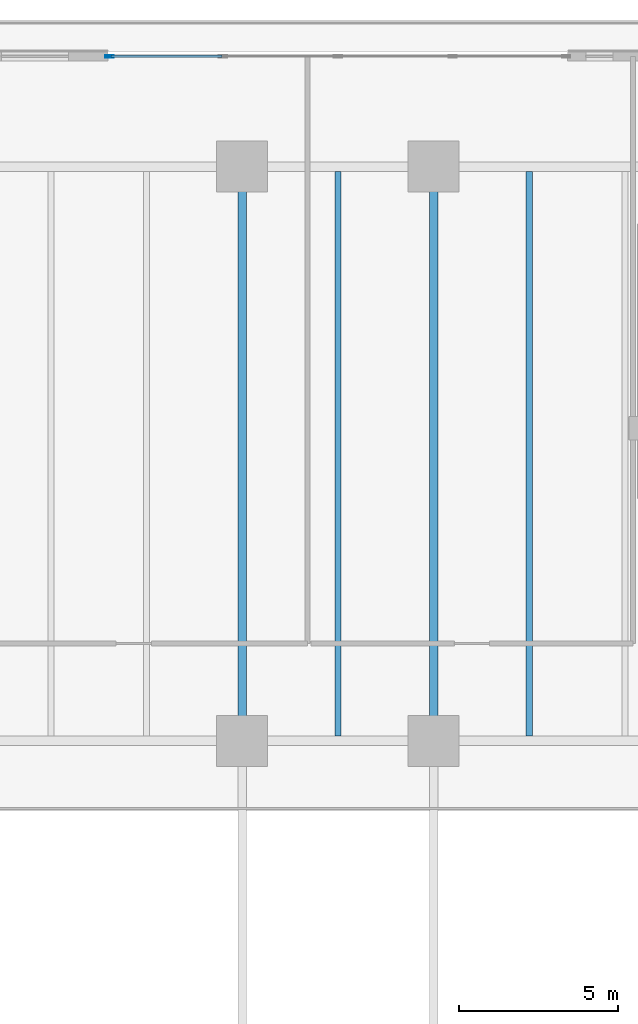
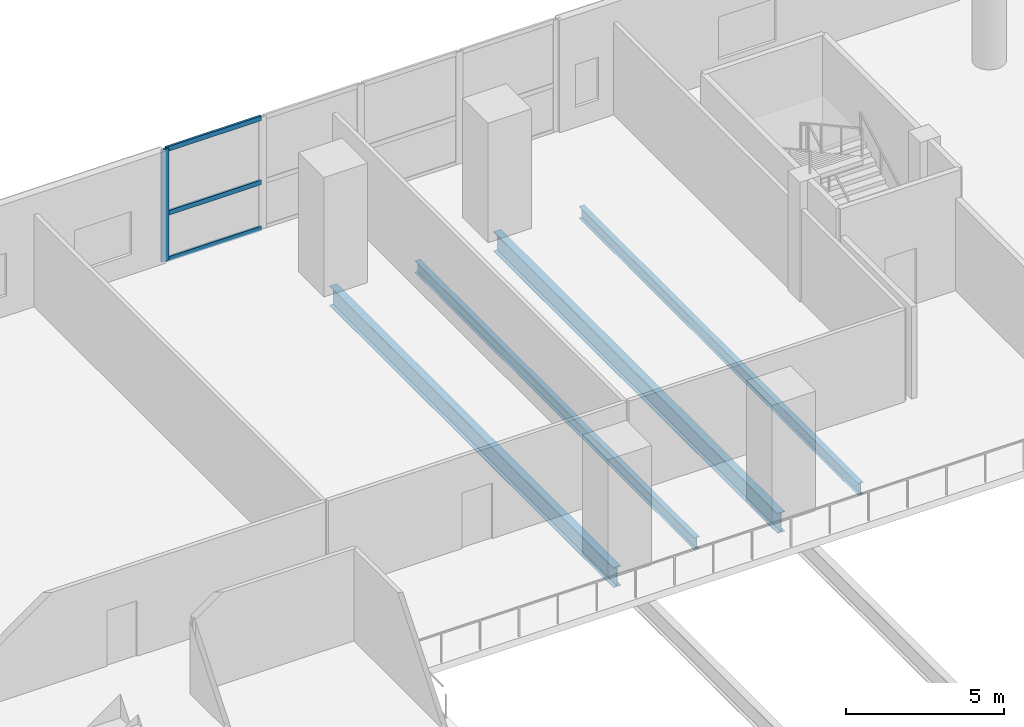
# One storey, part 6 of 27: 4 beams, 4 members, 1 element without a shape of its own.
"""IFC4 building model written with IfcOpenShell, lengths in metres."""

import ifcopenshell
import ifcopenshell.guid

model = None  # the IFC model being written
_history = None  # IfcOwnerHistory: only IFC2X3 demands one
_inside = {}  # id of a spatial element -> (the spatial element, [elements in it])
_under = {}  # id of a project, library or spatial element -> (it, [spatial elements below it])
_declared = {}  # id of a project -> (the project, [libraries it declares])
_typed = {}  # id of a type object -> (the type object, [elements of that type])
_made_of = {}  # id of a material, layer set ... -> (it, [elements and type objects made of it])


def new_model(schema):
    """Start an empty IFC model of exactly this schema.

    Asked for "IFC4X3", IfcOpenShell would pick the latest addendum, in which some entities
    have other attributes; the version numbers below select the first issue.
    IFC2X3 requires an IfcOwnerHistory on every rooted entity: one is made here for all.
    """
    global model, _history
    if schema == "IFC4X3":
        model = ifcopenshell.file(schema_version=(4, 3, 0, 0))
    else:
        model = ifcopenshell.file(schema=schema)
    _inside.clear()
    _under.clear()
    _declared.clear()
    _typed.clear()
    _made_of.clear()
    _history = None
    if model.schema == "IFC2X3":
        org = make("IfcOrganization", Name="unknown")
        user = make(
            "IfcPersonAndOrganization",
            ThePerson=make("IfcPerson", FamilyName="unknown"),
            TheOrganization=org,
        )
        app = make(
            "IfcApplication",
            ApplicationDeveloper=org,
            Version="unknown",
            ApplicationFullName="unknown",
            ApplicationIdentifier="unknown",
        )
        _history = make(
            "IfcOwnerHistory",
            OwningUser=user,
            OwningApplication=app,
            ChangeAction="ADDED",
            CreationDate=0,
        )
    return model


def make(cls, **values):
    """One entity of the class cls with the attributes given. An attribute that is None is left unset."""
    return model.create_entity(
        cls, **{name: value for name, value in values.items() if value is not None}
    )


def rooted(cls, **values):
    """An entity with a GlobalId (a new one), such as an element, a storey or a relation."""
    return make(cls, GlobalId=ifcopenshell.guid.new(), OwnerHistory=_history, **values)


def si_unit(unit_type, name, prefix=None):
    """IfcSIUnit, for example si_unit("LENGTHUNIT", "METRE", prefix="MILLI")."""
    return make("IfcSIUnit", UnitType=unit_type, Prefix=prefix, Name=name)


def assignment(units):
    """IfcUnitAssignment: the units of a project."""
    return None if units is None else make("IfcUnitAssignment", Units=units)


def point(xyz):
    """IfcCartesianPoint."""
    return None if xyz is None else make("IfcCartesianPoint", Coordinates=xyz)


def direction(xyz):
    """IfcDirection."""
    return None if xyz is None else make("IfcDirection", DirectionRatios=xyz)


def frame(location, z_axis=None, x_axis=None):
    """IfcAxis2Placement3D, a coordinate frame: its origin and axes. An axis left out is left unset."""
    return make(
        "IfcAxis2Placement3D",
        Location=point(location),
        Axis=direction(z_axis),
        RefDirection=direction(x_axis),
    )


def frame_2d(location, x_axis=None):
    """IfcAxis2Placement2D, a coordinate frame in the plane: its origin and x axis."""
    return make(
        "IfcAxis2Placement2D", Location=point(location), RefDirection=direction(x_axis)
    )


def origin():
    """The frame at (0, 0, 0) with its axes left unset."""
    return frame((0.0, 0.0, 0.0))


def origin_2d():
    """The frame at (0, 0) in the plane with its x axis left unset."""
    return frame_2d((0.0, 0.0))


def place(relative_to, where):
    """IfcLocalPlacement: puts the frame where relative to a parent placement (None: the world)."""
    return make(
        "IfcLocalPlacement", PlacementRelTo=relative_to, RelativePlacement=where
    )


def context(
    kind, dimensions, precision=None, world=None, true_north=None, identifier=None
):
    """IfcGeometricRepresentationContext, for example the 3D "Model" context."""
    return make(
        "IfcGeometricRepresentationContext",
        ContextIdentifier=identifier,
        ContextType=kind,
        CoordinateSpaceDimension=dimensions,
        Precision=precision,
        WorldCoordinateSystem=world,
        TrueNorth=true_north,
    )


def subcontext(parent, identifier, kind, view, scale=None):
    """IfcGeometricRepresentationSubContext, for example "Body" below "Model"."""
    return make(
        "IfcGeometricRepresentationSubContext",
        ContextIdentifier=identifier,
        ContextType=kind,
        ParentContext=parent,
        TargetScale=scale,
        TargetView=view,
    )


def project(units=None, contexts=None):
    """IfcProject with its units and contexts."""
    return rooted(
        "IfcProject",
        Name="project",
        RepresentationContexts=contexts,
        UnitsInContext=assignment(units),
    )


def spatial(cls, under=None, at=None, **own):
    """A site, building, storey or space (cls), placed at a placement, below another one or the project."""
    s = rooted(cls, ObjectPlacement=at, **own)
    if under is not None:
        _under.setdefault(under.id(), (under, []))[1].append(s)
    return s


def profile(cls, at=None, kind="AREA", **sizes):
    """A parametric profile (cls). Its sizes go by their IFC names, for example OverallWidth=200.0."""
    return make(cls, ProfileType=kind, Position=at, **sizes)


def hollow_rectangle(**sizes):
    """IfcRectangleHollowProfileDef."""
    return profile("IfcRectangleHollowProfileDef", **sizes)


def i_section(**sizes):
    """IfcIShapeProfileDef."""
    return profile("IfcIShapeProfileDef", **sizes)


def extrude(swept, where, along, depth):
    """IfcExtrudedAreaSolid: the profile swept, set in the frame where, extruded along a direction by depth."""
    return make(
        "IfcExtrudedAreaSolid",
        SweptArea=swept,
        Position=where,
        ExtrudedDirection=direction(along),
        Depth=depth,
    )


def shape(context_of_items, identifier, shape_type, items):
    """IfcShapeRepresentation: the items that make up one representation, for example the "Body"."""
    return make(
        "IfcShapeRepresentation",
        ContextOfItems=context_of_items,
        RepresentationIdentifier=identifier,
        RepresentationType=shape_type,
        Items=items,
    )


def material(Name=None, Category=None):
    """IfcMaterial."""
    return make("IfcMaterial", Name=Name, Category=Category)


def layer(
    of_material, thickness, ventilated=None, Name=None, Category=None, Priority=None
):
    """IfcMaterialLayer: one layer of a wall or slab, of a material (None: an air gap)."""
    return make(
        "IfcMaterialLayer",
        Material=of_material,
        LayerThickness=thickness,
        IsVentilated=ventilated,
        Name=Name,
        Category=Category,
        Priority=Priority,
    )


def layer_set(layers, Name=None):
    """IfcMaterialLayerSet."""
    return make("IfcMaterialLayerSet", MaterialLayers=layers, LayerSetName=Name)


def material_profile(
    of_material, cross_section, Name=None, Category=None, Priority=None
):
    """IfcMaterialProfile: a cross section and its material."""
    return make(
        "IfcMaterialProfile",
        Name=Name,
        Material=of_material,
        Profile=cross_section,
        Priority=Priority,
        Category=Category,
    )


def profile_set(profiles, Name=None, composite=None):
    """IfcMaterialProfileSet."""
    return make(
        "IfcMaterialProfileSet",
        Name=Name,
        MaterialProfiles=profiles,
        CompositeProfile=composite,
    )


def made_of(thing, what):
    """Note that an element or type object is made of a material, layer set ...; save() writes the relation."""
    if what is not None:
        _made_of.setdefault(what.id(), (what, []))[1].append(thing)
    return thing


def type_object(cls, material=None, **own):
    """A type object (cls), such as IfcWallType, which elements share."""
    return made_of(rooted(cls, **own), material)


def element(
    cls,
    number,
    at=None,
    inside=None,
    cuts=None,
    type_object=None,
    material=None,
    context=None,
    identifier="Body",
    shape_type=None,
    held_by="IfcProductDefinitionShape",
    body=None,
    shapes=None,
    **own,
):
    """One element of the class cls, such as IfcWall. Its Tag is "e" and its number.

    at: its placement. inside: the storey or other place that contains it. cuts: it is an
    opening in that element (IfcRelVoidsElement). A single representation is given by context,
    identifier, shape_type and body (its items); several are given by shapes. held_by: the class
    of the entity that holds the representations. save() writes the other relations.
    """
    e = rooted(cls, Tag="e%d" % number, ObjectPlacement=at, **own)
    if body is not None:
        shapes = [shape(context, identifier, shape_type, body)]
    if shapes is not None:
        e.Representation = make(held_by, Representations=shapes)
    if inside is not None:
        _inside.setdefault(inside.id(), (inside, []))[1].append(e)
    if cuts is not None:
        rooted(
            "IfcRelVoidsElement", RelatingBuildingElement=cuts, RelatedOpeningElement=e
        )
    if type_object is not None:
        _typed.setdefault(type_object.id(), (type_object, []))[1].append(e)
    return made_of(e, material)


def aggregate(whole, parts):
    """IfcRelAggregates: a whole, such as a stair, and the parts it consists of."""
    return rooted("IfcRelAggregates", RelatingObject=whole, RelatedObjects=parts)


def save(model, path):
    """Write the relations noted so far, then the file.

    IfcRelAggregates (storeys below a building ...), IfcRelContainedInSpatialStructure (elements
    in a storey), IfcRelDefinesByType, IfcRelAssociatesMaterial and IfcRelDeclares: one each for
    every whole, place, type object, material and project.
    """
    for whole, parts in _under.values():
        aggregate(whole, parts)
    for where, things in _inside.values():
        rooted(
            "IfcRelContainedInSpatialStructure",
            RelatedElements=things,
            RelatingStructure=where,
        )
    for kind, things in _typed.values():
        rooted("IfcRelDefinesByType", RelatedObjects=things, RelatingType=kind)
    for what, things in _made_of.values():
        rooted("IfcRelAssociatesMaterial", RelatedObjects=things, RelatingMaterial=what)
    for by, libraries in _declared.values():
        rooted("IfcRelDeclares", RelatingContext=by, RelatedDefinitions=libraries)
    model.write(path)


model = new_model("IFC4")

# Units and contexts
model_context = context("Model", 3, precision=1e-05, world=origin(), true_north=direction((0.0, 1.0)))
body_context = subcontext(model_context, "Body", "Model", "MODEL_VIEW")
ifc_project = project(units=[si_unit("LENGTHUNIT", "METRE"), si_unit("AREAUNIT", "SQUARE_METRE"), si_unit("VOLUMEUNIT", "CUBIC_METRE"), si_unit("PLANEANGLEUNIT", "RADIAN"), si_unit("MASSUNIT", "GRAM", prefix="KILO")], contexts=[model_context])

# Site, building, storey
site_placement = place(None, origin())
site = spatial("IfcSite", under=ifc_project, at=site_placement, CompositionType="ELEMENT")
building_placement = place(site_placement, origin())
building = spatial("IfcBuilding", under=site, at=building_placement, Name="Tanjung Sevakor Pilgrim Tower", CompositionType="ELEMENT")
storey_placement = place(building_placement, frame((0.0, 0.0, 14.85009765625)))
storey = spatial("IfcBuildingStorey", under=building, at=storey_placement, Name="L04", CompositionType="ELEMENT", Elevation=14.85009765625)

# Beams
ifc_material_1 = material(Name="Steel S355J2", Category="steel")
ifc_material_profile_1 = material_profile(ifc_material_1, i_section(OverallWidth=0.26806640625, OverallDepth=0.769775390625, WebThickness=0.015625, FlangeThickness=0.025390625, FilletRadius=0.0166015625, at=origin_2d()))
ifc_profile_set_1 = profile_set([ifc_material_profile_1], Name="Steel S355J2")
beam_type_1 = type_object("IfcBeamType", Name="BM-B-G1-UB_762x267x197", PredefinedType="BEAM", material=ifc_profile_set_1)
for number, where, z_axis, x_axis, name in (
    (1, (54.0, 42.60009765625, -0.6650390625), (0.0, 1.0, 0.0), (-1.0, 0.0, 0.0), "L04 Podium Girder NS X54-3"),
    (2, (60.0, 42.60009765625, -0.6650390625), (0.0, 1.0, 0.0), (-1.0, 0.0, 0.0), "L04 Podium Girder NS X60-3"),
):
    element("IfcBeam", number, at=place(storey_placement, frame(where, z_axis=z_axis, x_axis=x_axis)), inside=storey, type_object=beam_type_1, Name=name, PredefinedType="BEAM", context=body_context, shape_type="SweptSolid", body=[
        extrude(i_section(OverallWidth=0.26806640625, OverallDepth=0.769775390625, WebThickness=0.015625, FlangeThickness=0.025390625, FilletRadius=0.0166015625, at=origin_2d()), origin(), (0.0, 0.0, 1.0), 18.0),
    ])
ifc_material_2 = material(Name="Steel S355J2", Category="steel")
ifc_material_profile_2 = material_profile(ifc_material_2, i_section(OverallWidth=0.19140625, OverallDepth=0.4599609375, WebThickness=0.010009765625, FlangeThickness=0.01611328125, FilletRadius=0.01025390625, at=origin_2d()))
ifc_profile_set_2 = profile_set([ifc_material_profile_2], Name="Steel S355J2")
beam_type_2 = type_object("IfcBeamType", Name="BM-B-J2-UB_457x191x82", PredefinedType="JOIST", material=ifc_profile_set_2)
for number, where, z_axis, x_axis, name in (
    (3, (57.0, 42.75341796875, -0.510009765625), (0.0, 1.0, 0.0), (-1.0, 0.0, 0.0), "L04 Secondary Joist 026"),
    (4, (63.0, 42.75341796875, -0.510009765625), (0.0, 1.0, 0.0), (-1.0, 0.0, 0.0), "L04 Secondary Joist 028"),
):
    element("IfcBeam", number, at=place(storey_placement, frame(where, z_axis=z_axis, x_axis=x_axis)), inside=storey, type_object=beam_type_2, Name=name, PredefinedType="JOIST", context=body_context, shape_type="SweptSolid", body=[
        extrude(i_section(OverallWidth=0.19140625, OverallDepth=0.4599609375, WebThickness=0.010009765625, FlangeThickness=0.01611328125, FilletRadius=0.01025390625, at=origin_2d()), origin(), (0.0, 0.0, 1.0), 17.693115234375),
    ])

# Curtain wall, members
ifc_material_3 = material(Name="Aluminium 6063-T6 and Low-E Glass", Category="aluminium")
ifc_layer = layer(ifc_material_3, 0.179931640625)
ifc_layer_set = layer_set([ifc_layer], Name="CW-SYS-POD")
curtain_wall_type = type_object("IfcCurtainWallType", Name="CW-SYS-POD", PredefinedType="NOTDEFINED", material=ifc_layer_set)
curtain_wall_placement = place(storey_placement, origin())
curtain_wall = element("IfcCurtainWall", 5, at=curtain_wall_placement, inside=storey, type_object=curtain_wall_type, Name="L04 Curtain Wall CW-POD-L04-N", PredefinedType="NOTDEFINED")
ifc_material_4 = material(Name="Aluminium 6063-T6", Category="aluminium")
ifc_material_profile_3 = material_profile(ifc_material_4, hollow_rectangle(XDim=0.080078125, YDim=0.260009765625, WallThickness=0.0048828125, at=origin_2d()))
ifc_profile_set_3 = profile_set([ifc_material_profile_3], Name="Aluminium 6063-T6")
member_type_1 = type_object("IfcMemberType", Name="TYPE-CWM-3", PredefinedType="MULLION", material=ifc_profile_set_3)
member_1_placement = place(storey_placement, frame((49.840087890625, 64.06005859375, 0.0), z_axis=(0.0, 0.0, 1.0), x_axis=(0.0, -1.0, 0.0)))
member_1 = element("IfcMember", 6, at=member_1_placement, type_object=member_type_1, Name="CW-POD mullion 5", PredefinedType="MULLION", context=body_context, shape_type="SweptSolid", body=[
    extrude(hollow_rectangle(XDim=0.080078125, YDim=0.260009765625, WallThickness=0.0048828125, at=origin_2d()), origin(), (0.0, 0.0, 1.0), 4.33984375),
])
ifc_material_5 = material(Name="Aluminium 6063-T6", Category="aluminium")
ifc_material_profile_4 = material_profile(ifc_material_5, hollow_rectangle(XDim=0.080078125, YDim=0.179931640625, WallThickness=0.0048828125, at=origin_2d()))
ifc_profile_set_4 = profile_set([ifc_material_profile_4], Name="Aluminium 6063-T6")
member_type_2 = type_object("IfcMemberType", Name="TYPE-CWT-3", PredefinedType="USERDEFINED", material=ifc_profile_set_4)
member_2_placement = place(storey_placement, frame((53.360107421875, 64.06005859375, 0.039794921875), z_axis=(-1.0, 0.0, 0.0), x_axis=(0.0, -1.0, 0.0)))
member_2 = element("IfcMember", 7, at=member_2_placement, type_object=member_type_2, Name="CW-POD transom 4.1", ObjectType="TRANSOM", PredefinedType="USERDEFINED", context=body_context, shape_type="SweptSolid", body=[
    extrude(hollow_rectangle(XDim=0.080078125, YDim=0.179931640625, WallThickness=0.0048828125, at=origin_2d()), origin(), (0.0, 0.0, 1.0), 3.480224609375),
])
member_3_placement = place(storey_placement, frame((53.360107421875, 64.06005859375, 1.82275390625), z_axis=(-1.0, 0.0, 0.0), x_axis=(0.0, -1.0, 0.0)))
member_3 = element("IfcMember", 8, at=member_3_placement, type_object=member_type_2, Name="CW-POD transom 4.2", ObjectType="TRANSOM", PredefinedType="USERDEFINED", context=body_context, shape_type="SweptSolid", body=[
    extrude(hollow_rectangle(XDim=0.080078125, YDim=0.179931640625, WallThickness=0.0048828125, at=origin_2d()), origin(), (0.0, 0.0, 1.0), 3.480224609375),
])
member_4_placement = place(storey_placement, frame((53.360107421875, 64.06005859375, 4.2998046875), z_axis=(-1.0, 0.0, 0.0), x_axis=(0.0, -1.0, 0.0)))
member_4 = element("IfcMember", 9, at=member_4_placement, type_object=member_type_2, Name="CW-POD transom 4.3", ObjectType="TRANSOM", PredefinedType="USERDEFINED", context=body_context, shape_type="SweptSolid", body=[
    extrude(hollow_rectangle(XDim=0.080078125, YDim=0.179931640625, WallThickness=0.0048828125, at=origin_2d()), origin(), (0.0, 0.0, 1.0), 3.480224609375),
])
aggregate(curtain_wall, [member_1, member_2, member_3, member_4])

save(model, "model.ifc")
